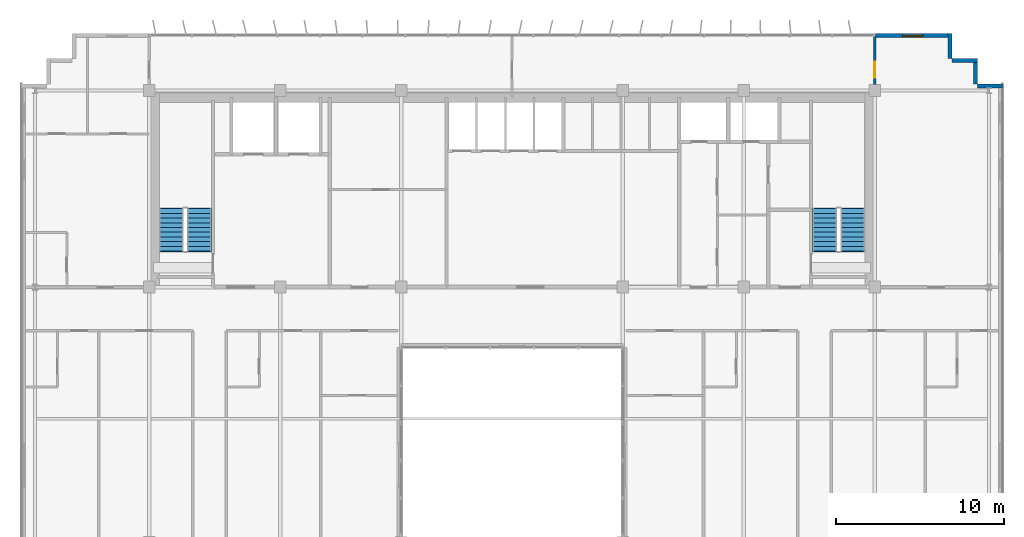
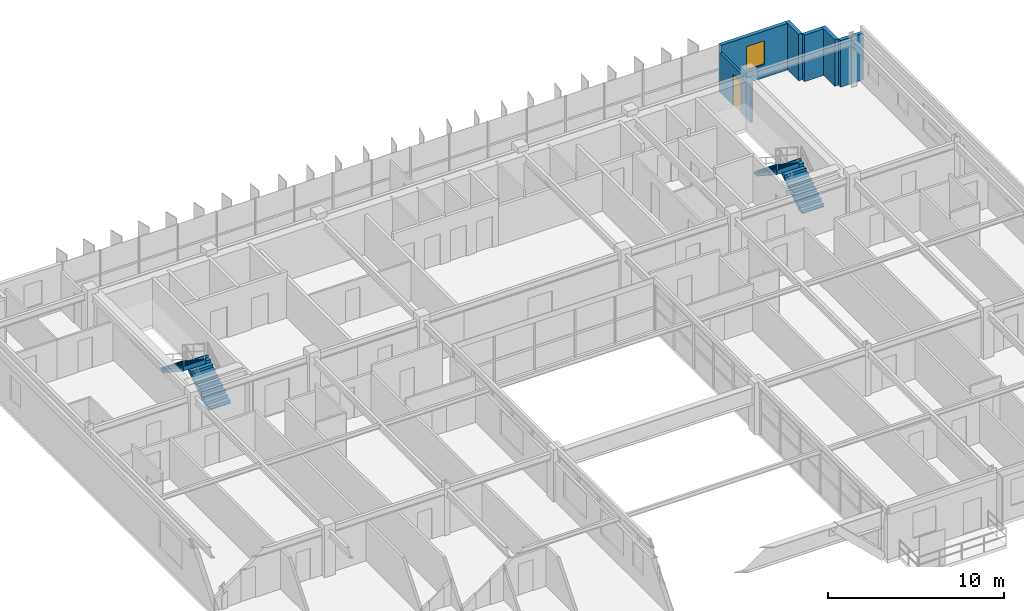
# One storey, part 35 of 37: 6 walls, 4 stair flights, 1 door, 1 window, 2 openings, 2 elements without a shape of their own.
"""IFC4 building model written with IfcOpenShell, lengths in metres."""

from ifc_helpers import new_model, si_unit, direction, frame, frame_2d, origin, place, context, subcontext, project, spatial, polyline, rectangle, outline, extrude, source, transform, mapped, material, layer, layer_set, type_object, element, fill, aggregate, save


model = new_model("IFC4")

# Units and contexts
model_context = context("Model", 3, precision=1e-05, world=origin(), true_north=direction((0.0, 1.0)))
body_context = subcontext(model_context, "Body", "Model", "MODEL_VIEW")
ifc_project = project(units=[si_unit("LENGTHUNIT", "METRE"), si_unit("AREAUNIT", "SQUARE_METRE"), si_unit("VOLUMEUNIT", "CUBIC_METRE"), si_unit("PLANEANGLEUNIT", "RADIAN"), si_unit("MASSUNIT", "GRAM", prefix="KILO")], contexts=[model_context])

# Site, building, storey
site_placement = place(None, origin())
site = spatial("IfcSite", under=ifc_project, at=site_placement, CompositionType="ELEMENT")
building_placement = place(site_placement, origin())
building = spatial("IfcBuilding", under=site, at=building_placement, Name="Trelvane Seafront Commons", CompositionType="ELEMENT")
storey_placement = place(building_placement, frame((0.0, 0.0, 201.300048828125)))
storey = spatial("IfcBuildingStorey", under=building, at=storey_placement, Name="L52", CompositionType="ELEMENT", Elevation=201.300048828125)

# Wall, opening, window
ifc_material_1 = material(Name="Precast concrete C40/50", Category="concrete")
ifc_layer_1 = layer(ifc_material_1, 0.239990234375, Name="ARCH-WALL-EXT240")
ifc_layer_set_1 = layer_set([ifc_layer_1], Name="Precast concrete C40/50")
wall_type_1 = type_object("IfcWallType", Name="ARCH-WALL-EXT240", PredefinedType="SOLIDWALL", material=ifc_layer_set_1)
wall_1_placement = place(storey_placement, frame((58.800048828125, 48.3701171875, 0.0), z_axis=(0.0, 0.0, 1.0), x_axis=(1.0, 0.0, 0.0)))
wall_1 = element("IfcWall", 1, at=wall_1_placement, inside=storey, type_object=wall_type_1, Name="EW-L52-NE-1033", PredefinedType="SOLIDWALL", context=body_context, shape_type="SweptSolid", body=[
    extrude(rectangle(XDim=4.5, YDim=0.239990234375, at=frame_2d((2.25, 0.0))), origin(), (0.0, 0.0, 1.0), 3.219970703125),
])
opening_1_placement = place(wall_1_placement, frame((1.64990234375, 0.0, 0.89990234375)))
opening_1 = element("IfcOpeningElement", 2, at=opening_1_placement, cuts=wall_1, Name="Opening W05", PredefinedType="OPENING", context=body_context, shape_type="SweptSolid", body=[
    extrude(rectangle(XDim=1.199951171875, YDim=1.64990234375, at=frame_2d((0.60009765625, 0.824951171875))), frame((0.0, 0.1298828125, 0.0), z_axis=(0.0, -1.0, 0.0), x_axis=(1.0, 0.0, 0.0)), (0.0, 0.0, 1.0), 0.260009765625),
])
ifc_material_2 = material(Name="Low-E coastal double glazing", Category="glass")
window_type = type_object("IfcWindowType", Name="ARCH-WIN-W05", PartitioningType="SINGLE_PANEL", PredefinedType="WINDOW", material=ifc_material_2)
shared_shape_1 = source(origin(), body_context, "Body", "SweptSolid", [
    extrude(rectangle(XDim=1.199951171875, YDim=1.64990234375, at=frame_2d((0.60009765625, 0.824951171875))), frame((0.0, 0.030029296875, 0.0), z_axis=(0.0, -1.0, 0.0), x_axis=(1.0, 0.0, 0.0)), (0.0, 0.0, 1.0), 0.06005859375),
])
window_placement = place(opening_1_placement, origin())
window = element("IfcWindow", 3, at=window_placement, inside=storey, type_object=window_type, Name="WIN-L52-01237", OverallHeight=1.64990234375, OverallWidth=1.199951171875, PartitioningType="SINGLE_PANEL", PredefinedType="WINDOW", context=body_context, shape_type="MappedRepresentation", body=[
    mapped(shared_shape_1, transform((0.0, 0.0, 0.0), x_axis=(1.0, 0.0, 0.0), y_axis=(0.0, 1.0, 0.0), z_axis=(0.0, 0.0, 1.0), scale=1.0)),
])
fill(opening_1, window)

# Walls
for number, where, z_axis, x_axis, name in (
    (4, (63.280029296875, 48.5, 0.0), (0.0, 0.0, 1.0), (0.0, -1.0, 0.0), "EW-L52-01042"),
    (5, (63.39990234375, 46.8798828125, 0.0), (0.0, 0.0, 1.0), (1.0, 0.0, 0.0), "EW-L52-01043"),
    (6, (64.780029296875, 47.0, 0.0), (0.0, 0.0, 1.0), (0.0, -1.0, 0.0), "EW-L52-01044"),
    (7, (64.89990234375, 45.3798828125, 0.0), (0.0, 0.0, 1.0), (1.0, 0.0, 0.0), "EW-L52-01045"),
):
    element("IfcWall", number, at=place(storey_placement, frame(where, z_axis=z_axis, x_axis=x_axis)), inside=storey, type_object=wall_type_1, Name=name, PredefinedType="SOLIDWALL", context=body_context, shape_type="SweptSolid", body=[
        extrude(rectangle(XDim=1.5, YDim=0.239990234375, at=frame_2d((0.75, 0.0))), origin(), (0.0, 0.0, 1.0), 3.219970703125),
    ])

# Wall, opening, door
ifc_material_3 = material(Name="Gypsum Drywall Acoustic Partition")
ifc_layer_2 = layer(ifc_material_3, 0.14990234375, Name="ARCH-WALL-PART150")
ifc_layer_set_2 = layer_set([ifc_layer_2], Name="Gypsum Drywall Acoustic Partition")
wall_type_2 = type_object("IfcWallType", Name="ARCH-WALL-PART150", PredefinedType="PARTITIONING", material=ifc_layer_set_2)
wall_2_placement = place(storey_placement, frame((58.800048828125, 44.75, 0.0), z_axis=(0.0, 0.0, 1.0), x_axis=(0.0, 1.0, 0.0)))
wall_2 = element("IfcWall", 8, at=wall_2_placement, inside=storey, type_object=wall_type_2, Name="W-L52-N-LINK-E-045", PredefinedType="PARTITIONING", context=body_context, shape_type="SweptSolid", body=[
    extrude(rectangle(XDim=3.610107421875, YDim=0.14990234375, at=frame_2d((1.80517578125, 0.0))), origin(), (0.0, 0.0, 1.0), 2.719970703125),
])
opening_2_placement = place(wall_2_placement, frame((1.10009765625, 0.0, 0.0)))
opening_2 = element("IfcOpeningElement", 9, at=opening_2_placement, cuts=wall_2, Name="Opening FD-L52-27", PredefinedType="OPENING", context=body_context, shape_type="SweptSolid", body=[
    extrude(rectangle(XDim=0.949951171875, YDim=2.14990234375, at=frame_2d((0.47509765625, 1.074951171875))), frame((0.0, 0.0849609375, 0.0), z_axis=(0.0, -1.0, 0.0), x_axis=(1.0, 0.0, 0.0)), (0.0, 0.0, 1.0), 0.169921875),
])
ifc_material_4 = material(Name="Powder-coated aluminium frame", Category="aluminium")
door_type = type_object("IfcDoorType", Name="ARCH-DR-FD60-950", OperationType="NOTDEFINED", PredefinedType="DOOR", material=ifc_material_4)
shared_shape_2 = source(origin(), body_context, "Body", "SweptSolid", [
    extrude(rectangle(XDim=0.949951171875, YDim=2.14990234375, at=frame_2d((0.47509765625, 1.074951171875))), frame((0.0, 0.02490234375, 0.0), z_axis=(0.0, -1.0, 0.0), x_axis=(1.0, 0.0, 0.0)), (0.0, 0.0, 1.0), 0.050048828125),
])
door_placement = place(opening_2_placement, origin())
door = element("IfcDoor", 10, at=door_placement, inside=storey, type_object=door_type, Name="L52 Door 27", OperationType="SINGLE_SWING_LEFT", OverallHeight=2.14990234375, OverallWidth=0.949951171875, PredefinedType="DOOR", context=body_context, shape_type="MappedRepresentation", body=[
    mapped(shared_shape_2, transform((0.0, 0.0, 0.0), x_axis=(1.0, 0.0, 0.0), y_axis=(0.0, 1.0, 0.0), z_axis=(0.0, 0.0, 1.0), scale=1.0)),
])
fill(opening_2, door)

# Stair, stair flights
ifc_material_5 = material(Name="Concrete C40/50", Category="concrete")
stair_type_1 = type_object("IfcStairType", Name="ARCH-STR-ST-1-R20-180", PredefinedType="HALF_TURN_STAIR", material=ifc_material_5)
stair_1_placement = place(storey_placement, origin())
stair_1 = element("IfcStair", 11, at=stair_1_placement, inside=storey, type_object=stair_type_1, Name="L52 West Protected Firefighting Exit Stair ST-1", PredefinedType="HALF_TURN_STAIR")
stair_flight_type_1 = type_object("IfcStairFlightType", Name="ARCH-FLG-ST-1-R20-180", PredefinedType="STRAIGHT", material=ifc_material_5)
shared_shape_3 = source(origin(), body_context, "Body", "SweptSolid", [
    extrude(outline(polyline([(-0.050048828125, -0.02001953125), (-0.050048828125, 0.0), (0.0, 0.0), (0.0, 0.179931640625), (0.280029296875, 0.179931640625), (0.280029296875, 0.360107421875), (0.56005859375, 0.360107421875), (0.56005859375, 0.5400390625), (0.840087890625, 0.5400390625), (0.840087890625, 0.719970703125), (1.1201171875, 0.719970703125), (1.1201171875, 0.89990234375), (1.39990234375, 0.89990234375), (1.39990234375, 1.080078125), (1.679931640625, 1.080078125), (1.679931640625, 1.260009765625), (1.9599609375, 1.260009765625), (1.9599609375, 1.43994140625), (2.239990234375, 1.43994140625), (2.239990234375, 1.6201171875), (2.52001953125, 1.6201171875), (2.52001953125, 1.800048828125), (2.570068359375, 1.800048828125), (2.570068359375, 1.650146484375), (2.52001953125, 1.44189453125), (0.277099609375, -0.02001953125), (-0.050048828125, -0.02001953125)])), frame((0.0, 0.72509765625, 0.0), z_axis=(0.0, -1.0, 0.0), x_axis=(1.0, 0.0, 0.0)), (0.0, 0.0, 1.0), 1.449951171875),
])
stair_flight_1_placement = place(storey_placement, frame((18.574951171875, 35.550048828125, 0.0), z_axis=(0.0, 0.0, 1.0), x_axis=(0.0, 1.0, 0.0)))
stair_flight_1 = element("IfcStairFlight", 12, at=stair_flight_1_placement, type_object=stair_flight_type_1, Name="ST-1 flight 1", NumberOfRisers=10, NumberOfTreads=9, PredefinedType="STRAIGHT", RiserHeight=0.18, TreadLength=0.28, context=body_context, shape_type="MappedRepresentation", body=[
    mapped(shared_shape_3, transform((0.0, 0.0, 0.0), x_axis=(1.0, 0.0, 0.0), y_axis=(0.0, 1.0, 0.0), z_axis=(0.0, 0.0, 1.0), scale=1.0)),
])
stair_flight_2_placement = place(storey_placement, frame((16.925048828125, 38.070068359375, 1.800048828125), z_axis=(0.0, 0.0, 1.0), x_axis=(0.0, -1.0, 0.0)))
stair_flight_2 = element("IfcStairFlight", 13, at=stair_flight_2_placement, type_object=stair_flight_type_1, Name="ST-1 flight 2", NumberOfRisers=10, NumberOfTreads=9, PredefinedType="STRAIGHT", RiserHeight=0.18, TreadLength=0.28, context=body_context, shape_type="MappedRepresentation", body=[
    mapped(shared_shape_3, transform((0.0, 0.0, 0.0), x_axis=(1.0, 0.0, 0.0), y_axis=(0.0, 1.0, 0.0), z_axis=(0.0, 0.0, 1.0), scale=1.0)),
])
aggregate(stair_1, [stair_flight_1, stair_flight_2])

stair_type_2 = type_object("IfcStairType", Name="ARCH-STR-ST-2-R20-180", PredefinedType="HALF_TURN_STAIR", material=ifc_material_5)
stair_2_placement = place(storey_placement, origin())
stair_2 = element("IfcStair", 14, at=stair_2_placement, inside=storey, type_object=stair_type_2, Name="L52 East Protected Firefighting Exit Stair ST-2", PredefinedType="HALF_TURN_STAIR")
stair_flight_type_2 = type_object("IfcStairFlightType", Name="ARCH-FLG-ST-2-R20-180", PredefinedType="STRAIGHT", material=ifc_material_5)
stair_flight_3_placement = place(storey_placement, frame((57.47509765625, 35.550048828125, 0.0), z_axis=(0.0, 0.0, 1.0), x_axis=(0.0, 1.0, 0.0)))
stair_flight_3 = element("IfcStairFlight", 15, at=stair_flight_3_placement, type_object=stair_flight_type_2, Name="ST-2 flight 1", NumberOfRisers=10, NumberOfTreads=9, PredefinedType="STRAIGHT", RiserHeight=0.18, TreadLength=0.28, context=body_context, shape_type="MappedRepresentation", body=[
    mapped(shared_shape_3, transform((0.0, 0.0, 0.0), x_axis=(1.0, 0.0, 0.0), y_axis=(0.0, 1.0, 0.0), z_axis=(0.0, 0.0, 1.0), scale=1.0)),
])
stair_flight_4_placement = place(storey_placement, frame((55.824951171875, 38.070068359375, 1.800048828125), z_axis=(0.0, 0.0, 1.0), x_axis=(0.0, -1.0, 0.0)))
stair_flight_4 = element("IfcStairFlight", 16, at=stair_flight_4_placement, type_object=stair_flight_type_2, Name="ST-2 flight 2", NumberOfRisers=10, NumberOfTreads=9, PredefinedType="STRAIGHT", RiserHeight=0.18, TreadLength=0.28, context=body_context, shape_type="MappedRepresentation", body=[
    mapped(shared_shape_3, transform((0.0, 0.0, 0.0), x_axis=(1.0, 0.0, 0.0), y_axis=(0.0, 1.0, 0.0), z_axis=(0.0, 0.0, 1.0), scale=1.0)),
])
aggregate(stair_2, [stair_flight_3, stair_flight_4])

save(model, "model.ifc")
